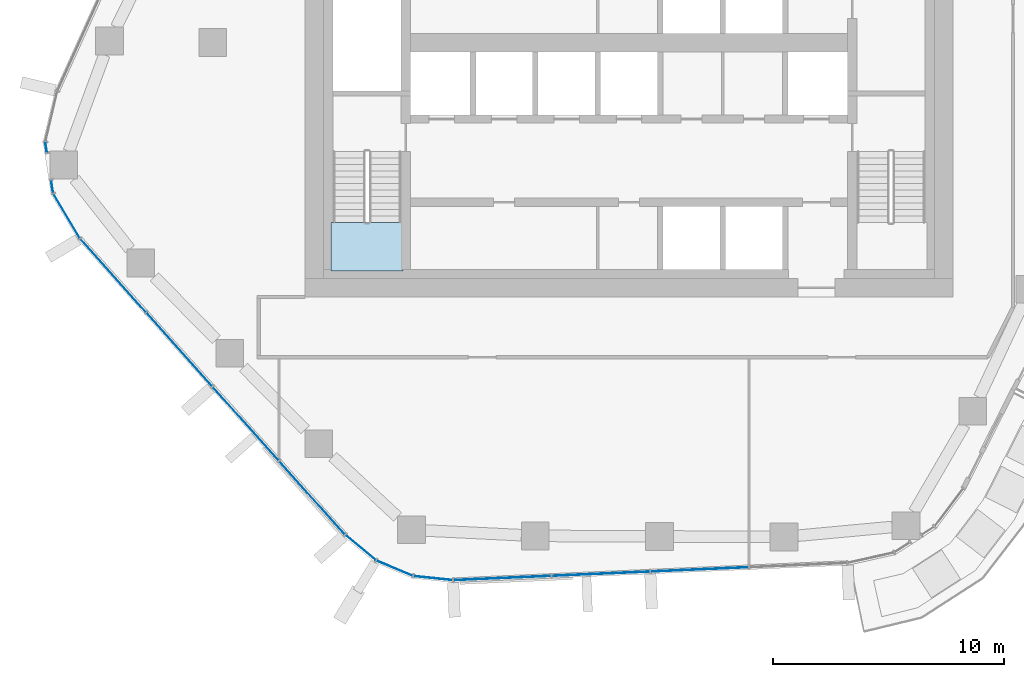
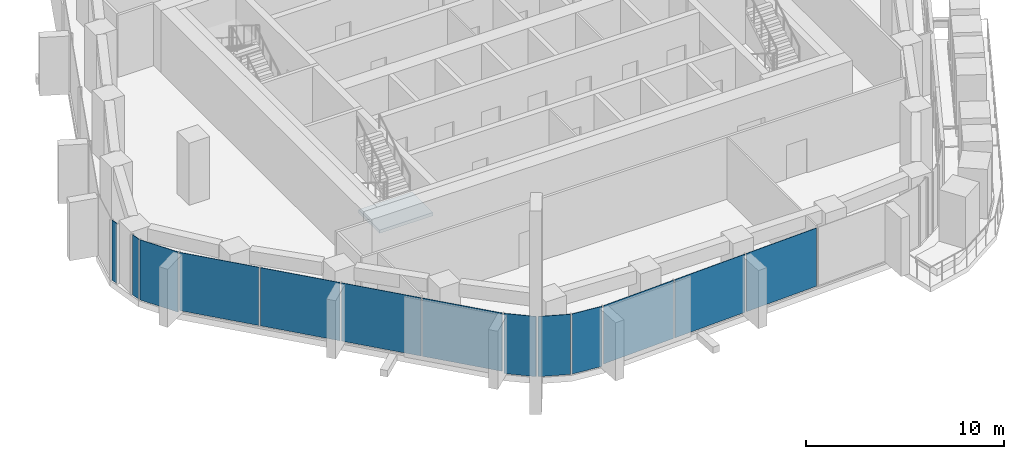
# One storey, part 7 of 18: 13 plates, 1 slab, 6 elements without a shape of their own.
"""IFC4 building model written with IfcOpenShell, lengths in metres."""

from ifc_helpers import new_model, si_unit, direction, frame, origin, origin_2d, place, context, subcontext, project, spatial, polyline, rectangle, outline, extrude, material, layer, layer_set, type_object, element, aggregate, save


model = new_model("IFC4")

# Units and contexts
model_context = context("Model", 3, precision=1e-05, world=origin(), true_north=direction((0.0, 1.0)))
body_context = subcontext(model_context, "Body", "Model", "MODEL_VIEW")
ifc_project = project(units=[si_unit("LENGTHUNIT", "METRE"), si_unit("AREAUNIT", "SQUARE_METRE"), si_unit("VOLUMEUNIT", "CUBIC_METRE"), si_unit("PLANEANGLEUNIT", "RADIAN"), si_unit("MASSUNIT", "GRAM", prefix="KILO")], contexts=[model_context])

# Site, building, storey
site_placement = place(None, origin())
site = spatial("IfcSite", under=ifc_project, at=site_placement, CompositionType="ELEMENT")
building_placement = place(site_placement, origin())
building = spatial("IfcBuilding", under=site, at=building_placement, Name="Dongbaek Canopy Tower", CompositionType="ELEMENT")
storey_placement = place(building_placement, frame((0.0, 0.0, 171.199951171875)))
storey = spatial("IfcBuildingStorey", under=building, at=storey_placement, Name="L37", CompositionType="ELEMENT", Elevation=171.199951171875)

# Curtain wall, plate
ifc_material_1 = material(Name="Aluminium 6063-T6 pale anodised", Category="aluminium")
ifc_layer_1 = layer(ifc_material_1, 0.199951171875)
ifc_layer_set_1 = layer_set([ifc_layer_1], Name="CW-1 unitised tower curtain wall")
curtain_wall_type = type_object("IfcCurtainWallType", Name="CW-1 unitised tower curtain wall", PredefinedType="NOTDEFINED", material=ifc_layer_set_1)
curtain_wall_1_placement = place(storey_placement, origin())
curtain_wall_1 = element("IfcCurtainWall", 1, at=curtain_wall_1_placement, inside=storey, type_object=curtain_wall_type, Name="CW-1 curtain wall K3.1a", PredefinedType="NOTDEFINED")
ifc_material_2 = material(Name="Clear laminated glass", Category="glass")
ifc_layer_2 = layer(ifc_material_2, 0.028076171875)
ifc_layer_set_2 = layer_set([ifc_layer_2], Name="CW-1 glazed panel 28")
plate_type = type_object("IfcPlateType", Name="CW-1 glazed panel 28", PredefinedType="CURTAIN_PANEL", material=ifc_layer_set_2)
plate_1_placement = place(storey_placement, frame((-25.19970703125, -4.52734375, 0.0), z_axis=(0.0, 0.0, 1.0), x_axis=(0.152013282979, -0.988378450695, 0.0)))
plate_1 = element("IfcPlate", 2, at=plate_1_placement, type_object=plate_type, Name="CW-1 panel K3.1a.2.1", PredefinedType="CURTAIN_PANEL", context=body_context, shape_type="SweptSolid", body=[
    extrude(rectangle(XDim=0.391845703125, YDim=0.028076171875, at=origin_2d()), origin(), (0.0, 0.0, 1.0), 3.699951171875),
])
aggregate(curtain_wall_1, [plate_1])

# Curtain wall, plates
curtain_wall_2_placement = place(storey_placement, origin())
curtain_wall_2 = element("IfcCurtainWall", 3, at=curtain_wall_2_placement, inside=storey, type_object=curtain_wall_type, Name="CW-1 curtain wall K3.1b", PredefinedType="NOTDEFINED")
plate_2_placement = place(storey_placement, frame((-24.939697265625, -6.218017578125, 0.0), z_axis=(0.0, 0.0, 1.0), x_axis=(0.152013282979, -0.988378450695, 0.0)))
plate_2 = element("IfcPlate", 4, at=plate_2_placement, type_object=plate_type, Name="CW-1 panel K3.1b.1.1", PredefinedType="CURTAIN_PANEL", context=body_context, shape_type="SweptSolid", body=[
    extrude(rectangle(XDim=0.531494140625, YDim=0.028076171875, at=origin_2d()), origin(), (0.0, 0.0, 1.0), 3.699951171875),
])
plate_3_placement = place(storey_placement, frame((-24.312744140625, -7.495361328125, 0.0), z_axis=(0.0, 0.0, 1.0), x_axis=(0.511989095209, -0.858991947801, 0.0)))
plate_3 = element("IfcPlate", 5, at=plate_3_placement, type_object=plate_type, Name="CW-1 panel K3.1b.2.1", PredefinedType="CURTAIN_PANEL", context=body_context, shape_type="SweptSolid", body=[
    extrude(rectangle(XDim=2.181884765625, YDim=0.028076171875, at=origin_2d()), origin(), (0.0, 0.0, 1.0), 3.699951171875),
])
aggregate(curtain_wall_2, [plate_2, plate_3])

curtain_wall_3_placement = place(storey_placement, origin())
curtain_wall_3 = element("IfcCurtainWall", 6, at=curtain_wall_3_placement, inside=storey, type_object=curtain_wall_type, Name="CW-1 curtain wall F3.1", PredefinedType="NOTDEFINED")
plate_4_placement = place(storey_placement, frame((-22.302001953125, -10.067626953125, 0.1201171875), z_axis=(0.0, 0.0, 1.0), x_axis=(0.666829217942, -0.745210570308, 0.0)))
plate_4 = element("IfcPlate", 7, at=plate_4_placement, type_object=plate_type, Name="CW-1 panel F3.1.1.1", PredefinedType="CURTAIN_PANEL", context=body_context, shape_type="SweptSolid", body=[
    extrude(rectangle(XDim=4.20703125, YDim=0.028076171875, at=origin_2d()), origin(), (0.0, 0.0, 1.0), 3.580078125),
])
plate_5_placement = place(storey_placement, frame((-19.437255859375, -13.26904296875, 0.1201171875), z_axis=(0.0, 0.0, 1.0), x_axis=(0.666829217942, -0.745210570308, 0.0)))
plate_5 = element("IfcPlate", 8, at=plate_5_placement, type_object=plate_type, Name="CW-1 panel F3.1.2.1", PredefinedType="CURTAIN_PANEL", context=body_context, shape_type="SweptSolid", body=[
    extrude(rectangle(XDim=4.216796875, YDim=0.028076171875, at=origin_2d()), origin(), (0.0, 0.0, 1.0), 3.580078125),
])
plate_6_placement = place(storey_placement, frame((-16.5693359375, -16.473876953125, 0.1201171875), z_axis=(0.0, 0.0, 1.0), x_axis=(0.666829217942, -0.745210570308, 0.0)))
plate_6 = element("IfcPlate", 9, at=plate_6_placement, type_object=plate_type, Name="CW-1 panel F3.1.3.1", PredefinedType="CURTAIN_PANEL", context=body_context, shape_type="SweptSolid", body=[
    extrude(rectangle(XDim=4.216796875, YDim=0.028076171875, at=origin_2d()), origin(), (0.0, 0.0, 1.0), 3.580078125),
])
plate_7_placement = place(storey_placement, frame((-13.703857421875, -19.67626953125, 0.1201171875), z_axis=(0.0, 0.0, 1.0), x_axis=(0.666829217942, -0.745210570308, 0.0)))
plate_7 = element("IfcPlate", 10, at=plate_7_placement, type_object=plate_type, Name="CW-1 panel F3.1.4.1", PredefinedType="CURTAIN_PANEL", context=body_context, shape_type="SweptSolid", body=[
    extrude(rectangle(XDim=4.20947265625, YDim=0.028076171875, at=origin_2d()), origin(), (0.0, 0.0, 1.0), 3.580078125),
])
aggregate(curtain_wall_3, [plate_4, plate_5, plate_6, plate_7])

curtain_wall_4_placement = place(storey_placement, origin())
curtain_wall_4 = element("IfcCurtainWall", 11, at=curtain_wall_4_placement, inside=storey, type_object=curtain_wall_type, Name="CW-1 curtain wall K4.1", PredefinedType="NOTDEFINED")
plate_8_placement = place(storey_placement, frame((-11.603271484375, -21.83203125, 0.0), z_axis=(0.0, 0.0, 1.0), x_axis=(0.769056160609, -0.639181212043, 0.0)))
plate_8 = element("IfcPlate", 12, at=plate_8_placement, type_object=plate_type, Name="CW-1 panel K4.1.1.1", PredefinedType="CURTAIN_PANEL", context=body_context, shape_type="SweptSolid", body=[
    extrude(rectangle(XDim=1.656494140625, YDim=0.028076171875, at=origin_2d()), origin(), (0.0, 0.0, 1.0), 3.699951171875),
])
plate_9_placement = place(storey_placement, frame((-10.135498046875, -22.724609375, 0.0), z_axis=(0.0, 0.0, 1.0), x_axis=(0.921605953712, -0.38812686854, 0.0)))
plate_9 = element("IfcPlate", 13, at=plate_9_placement, type_object=plate_type, Name="CW-1 panel K4.1.2.1", PredefinedType="CURTAIN_PANEL", context=body_context, shape_type="SweptSolid", body=[
    extrude(rectangle(XDim=1.64892578125, YDim=0.028076171875, at=origin_2d()), origin(), (0.0, 0.0, 1.0), 3.699951171875),
])
plate_10_placement = place(storey_placement, frame((-8.471435546875, -23.151123046875, 0.0), z_axis=(0.0, 0.0, 1.0), x_axis=(0.994621408509, -0.103577283883, 0.0)))
plate_10 = element("IfcPlate", 14, at=plate_10_placement, type_object=plate_type, Name="CW-1 panel K4.1.3.1", PredefinedType="CURTAIN_PANEL", context=body_context, shape_type="SweptSolid", body=[
    extrude(rectangle(XDim=1.656494140625, YDim=0.028076171875, at=origin_2d()), origin(), (0.0, 0.0, 1.0), 3.699951171875),
])
aggregate(curtain_wall_4, [plate_8, plate_9, plate_10])

curtain_wall_5_placement = place(storey_placement, origin())
curtain_wall_5 = element("IfcCurtainWall", 15, at=curtain_wall_5_placement, inside=storey, type_object=curtain_wall_type, Name="CW-1 curtain wall F4.1", PredefinedType="NOTDEFINED")
plate_11_placement = place(storey_placement, frame((-5.476806640625, -23.148193359375, 0.1201171875), z_axis=(0.0, 0.0, 1.0), x_axis=(0.999047313196, 0.043640187851, 0.0)))
plate_11 = element("IfcPlate", 16, at=plate_11_placement, type_object=plate_type, Name="CW-1 panel F4.1.1.1", PredefinedType="CURTAIN_PANEL", context=body_context, shape_type="SweptSolid", body=[
    extrude(rectangle(XDim=4.17822265625, YDim=0.028076171875, at=origin_2d()), origin(), (0.0, 0.0, 1.0), 3.580078125),
])
plate_12_placement = place(storey_placement, frame((-1.215087890625, -22.962158203125, 0.1201171875), z_axis=(0.0, 0.0, 1.0), x_axis=(0.999047313196, 0.043640187851, 0.0)))
plate_12 = element("IfcPlate", 17, at=plate_12_placement, type_object=plate_type, Name="CW-1 panel F4.1.2.1", PredefinedType="CURTAIN_PANEL", context=body_context, shape_type="SweptSolid", body=[
    extrude(rectangle(XDim=4.185546875, YDim=0.028076171875, at=origin_2d()), origin(), (0.0, 0.0, 1.0), 3.580078125),
])
plate_13_placement = place(storey_placement, frame((3.05029296875, -22.775634765625, 0.1201171875), z_axis=(0.0, 0.0, 1.0), x_axis=(0.999047313196, 0.043640187851, 0.0)))
plate_13 = element("IfcPlate", 18, at=plate_13_placement, type_object=plate_type, Name="CW-1 panel F4.1.3.1", PredefinedType="CURTAIN_PANEL", context=body_context, shape_type="SweptSolid", body=[
    extrude(rectangle(XDim=4.185546875, YDim=0.028076171875, at=origin_2d()), origin(), (0.0, 0.0, 1.0), 3.580078125),
])
aggregate(curtain_wall_5, [plate_11, plate_12, plate_13])

# Stair, slab
ifc_material_3 = material(Name="Concrete C40/50", Category="concrete")
stair_type = type_object("IfcStairType", Name="Core exit stair", PredefinedType="HALF_TURN_STAIR", material=ifc_material_3)
stair_placement = place(storey_placement, origin())
stair = element("IfcStair", 19, at=stair_placement, inside=storey, type_object=stair_type, Name="L37 exit stair D", PredefinedType="HALF_TURN_STAIR")
ifc_material_4 = material(Name="Concrete C40/50", Category="concrete")
ifc_layer_3 = layer(ifc_material_4, 0.199951171875)
ifc_layer_set_3 = layer_set([ifc_layer_3], Name="Core stair landing 200")
slab_type = type_object("IfcSlabType", Name="Core stair landing 200", PredefinedType="LANDING", material=ifc_layer_set_3)
slab_placement = place(storey_placement, frame((0.0, 0.0, 1.900146484375)))
slab = element("IfcSlab", 20, at=slab_placement, type_object=slab_type, Name="ST-D landing 1", PredefinedType="LANDING", context=body_context, shape_type="SweptSolid", body=[
    extrude(outline(polyline([(-12.875, -7.780029296875), (-12.875, -9.875), (-9.77490234375, -9.875), (-9.77490234375, -7.780029296875), (-12.875, -7.780029296875)])), origin(), (0.0, 0.0, 1.0), 0.199951171875),
])
aggregate(stair, [slab])

save(model, "model.ifc")
